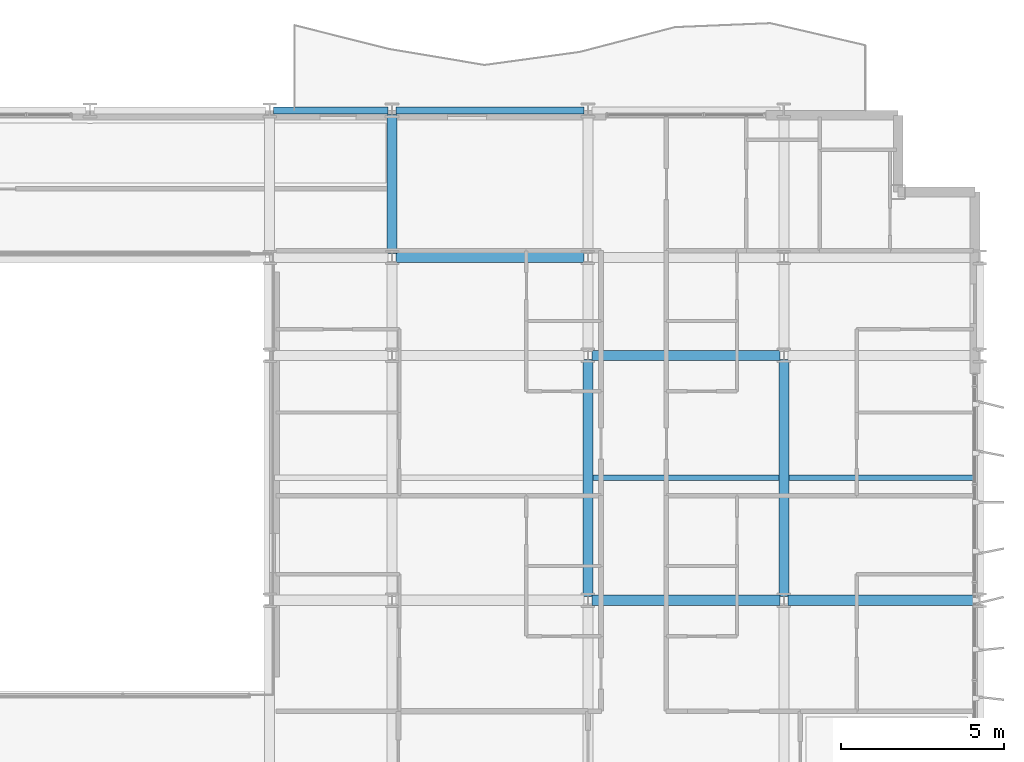
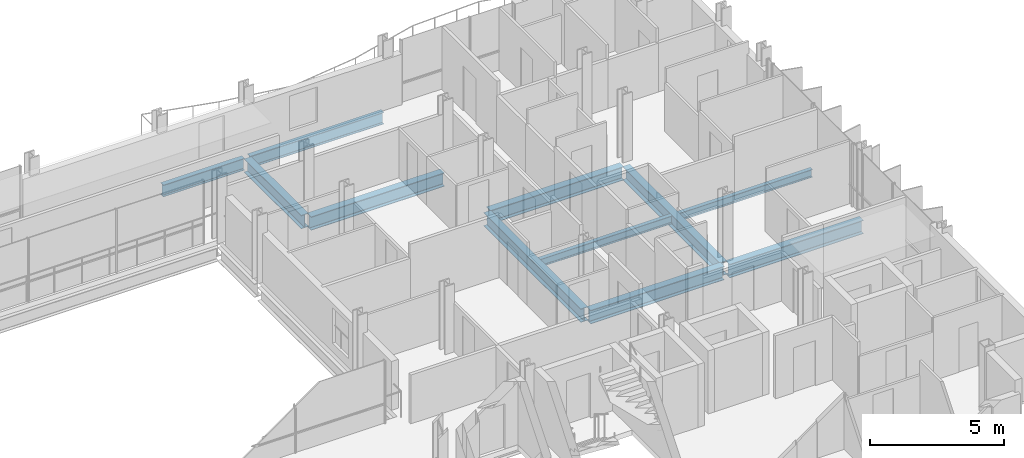
# One storey, part 18 of 39: 11 beams.
"""IFC4 building model written with IfcOpenShell, lengths in metres."""

from ifc_helpers import new_model, si_unit, direction, frame, origin, origin_2d, place, context, subcontext, project, spatial, i_section, extrude, material, material_profile, profile_set, type_object, element, save


model = new_model("IFC4")

# Units and contexts
model_context = context("Model", 3, precision=1e-05, world=origin(), true_north=direction((0.0, 1.0)))
body_context = subcontext(model_context, "Body", "Model", "MODEL_VIEW")
ifc_project = project(units=[si_unit("LENGTHUNIT", "METRE"), si_unit("AREAUNIT", "SQUARE_METRE"), si_unit("VOLUMEUNIT", "CUBIC_METRE"), si_unit("PLANEANGLEUNIT", "RADIAN"), si_unit("MASSUNIT", "GRAM", prefix="KILO")], contexts=[model_context])

# Site, building, storey
site_placement = place(None, origin())
site = spatial("IfcSite", under=ifc_project, at=site_placement, CompositionType="ELEMENT")
building_placement = place(site_placement, origin())
building = spatial("IfcBuilding", under=site, at=building_placement, Name="Brevholm Reach", CompositionType="ELEMENT")
storey_placement = place(building_placement, frame((0.0, 0.0, 77.60009765625)))
storey = spatial("IfcBuildingStorey", under=building, at=storey_placement, Name="L22", CompositionType="ELEMENT", Elevation=77.60009765625)

# Beams
ifc_material_1 = material(Name="Structural Steel S355J2", Category="steel")
ifc_material_profile_1 = material_profile(ifc_material_1, i_section(OverallWidth=0.17138671875, OverallDepth=0.35498046875, WebThickness=0.00732421875, FlangeThickness=0.011474609375, FilletRadius=0.01025390625, at=origin_2d()), Name="UKB 356x171x51")
ifc_profile_set_1 = profile_set([ifc_material_profile_1], Name="Structural Steel S355J2")
beam_type_1 = type_object("IfcBeamType", Name="BM-B356", PredefinedType="BEAM", material=ifc_profile_set_1)
beam_1_placement = place(storey_placement, frame((48.153564453125, 19.75, -0.40771484375), z_axis=(1.0, 0.0, 0.0), x_axis=(0.0, 1.0, 0.0)))
element("IfcBeam", 1, at=beam_1_placement, inside=storey, type_object=beam_type_1, Name="L22 Composite Secondary Floor Beam", PredefinedType="BEAM", context=body_context, shape_type="SweptSolid", body=[
    extrude(i_section(OverallWidth=0.17138671875, OverallDepth=0.35498046875, WebThickness=0.00732421875, FlangeThickness=0.011474609375, FilletRadius=0.01025390625, at=origin_2d()), origin(), (0.0, 0.0, 1.0), 5.69287109375),
])
beam_2_placement = place(storey_placement, frame((54.153564453125, 19.75, -0.40771484375), z_axis=(1.0, 0.0, 0.0), x_axis=(0.0, 1.0, 0.0)))
element("IfcBeam", 2, at=beam_2_placement, inside=storey, type_object=beam_type_1, Name="L22 Composite Secondary Floor Beam", PredefinedType="BEAM", context=body_context, shape_type="SweptSolid", body=[
    extrude(i_section(OverallWidth=0.17138671875, OverallDepth=0.35498046875, WebThickness=0.00732421875, FlangeThickness=0.011474609375, FilletRadius=0.01025390625, at=origin_2d()), origin(), (0.0, 0.0, 1.0), 5.740966796875),
])
ifc_material_2 = material(Name="Structural Steel S355J2", Category="steel")
ifc_material_profile_2 = material_profile(ifc_material_2, i_section(OverallWidth=0.210693359375, OverallDepth=0.53955078125, WebThickness=0.01171875, FlangeThickness=0.018798828125, FilletRadius=0.0126953125, at=origin_2d()), Name="UKB 533x210x109")
ifc_profile_set_2 = profile_set([ifc_material_profile_2], Name="Structural Steel S355J2")
beam_type_2 = type_object("IfcBeamType", Name="BM-SP539", PredefinedType="SPANDREL", material=ifc_profile_set_2)
beam_3_placement = place(storey_placement, frame((38.3701171875, 31.0, -0.499755859375), z_axis=(1.0, 0.0, 0.0), x_axis=(0.0, 1.0, 0.0)))
element("IfcBeam", 3, at=beam_3_placement, inside=storey, type_object=beam_type_2, Name="L22 SP-01B Framing Beam", PredefinedType="SPANDREL", context=body_context, shape_type="SweptSolid", body=[
    extrude(i_section(OverallWidth=0.210693359375, OverallDepth=0.53955078125, WebThickness=0.01171875, FlangeThickness=0.018798828125, FilletRadius=0.0126953125, at=origin_2d()), origin(), (0.0, 0.0, 1.0), 3.509765625),
])
beam_4_placement = place(storey_placement, frame((42.1201171875, 31.0, -0.499755859375), z_axis=(1.0, 0.0, 0.0), x_axis=(0.0, 1.0, 0.0)))
element("IfcBeam", 4, at=beam_4_placement, inside=storey, type_object=beam_type_2, Name="L22 SP-01B Framing Beam", PredefinedType="SPANDREL", context=body_context, shape_type="SweptSolid", body=[
    extrude(i_section(OverallWidth=0.210693359375, OverallDepth=0.53955078125, WebThickness=0.01171875, FlangeThickness=0.018798828125, FilletRadius=0.0126953125, at=origin_2d()), origin(), (0.0, 0.0, 1.0), 5.759765625),
])
ifc_material_3 = material(Name="Structural Steel S355J2", Category="steel")
ifc_material_profile_3 = material_profile(ifc_material_3, i_section(OverallWidth=0.30712890625, OverallDepth=0.6201171875, WebThickness=0.01416015625, FlangeThickness=0.023681640625, FilletRadius=0.0166015625, at=origin_2d()), Name="UKB 610x305x179")
ifc_profile_set_3 = profile_set([ifc_material_profile_3], Name="Structural Steel S355J2")
beam_type_3 = type_object("IfcBeamType", Name="BM-UKB610H", PredefinedType="USERDEFINED", material=ifc_profile_set_3)
for number, where, z_axis, x_axis, name in (
    (5, (48.1201171875, 16.0, -0.540283203125), (1.0, 0.0, 0.0), (0.0, 1.0, 0.0), "L22 G-06 Framing Beam"),
    (6, (54.1201171875, 16.0, -0.540283203125), (1.0, 0.0, 0.0), (0.0, 1.0, 0.0), "L22 G-06 Framing Beam"),
    (7, (48.1201171875, 23.5, -0.540283203125), (1.0, 0.0, 0.0), (0.0, 1.0, 0.0), "L22 G-06 Framing Beam"),
    (8, (42.1201171875, 26.5, -0.540283203125), (1.0, 0.0, 0.0), (0.0, 1.0, 0.0), "L22 G-06 Framing Beam"),
):
    element("IfcBeam", number, at=place(storey_placement, frame(where, z_axis=z_axis, x_axis=x_axis)), inside=storey, type_object=beam_type_3, Name=name, ObjectType="GIRDER", PredefinedType="USERDEFINED", context=body_context, shape_type="SweptSolid", body=[
        extrude(i_section(OverallWidth=0.30712890625, OverallDepth=0.6201171875, WebThickness=0.01416015625, FlangeThickness=0.023681640625, FilletRadius=0.0166015625, at=origin_2d()), origin(), (0.0, 0.0, 1.0), 5.759765625),
    ])
beam_5_placement = place(storey_placement, frame((42.0, 26.6201171875, -0.540283203125), z_axis=(0.0, 1.0, 0.0), x_axis=(-1.0, 0.0, 0.0)))
element("IfcBeam", 9, at=beam_5_placement, inside=storey, type_object=beam_type_3, Name="L22 G-06 Framing Beam", ObjectType="GIRDER", PredefinedType="USERDEFINED", context=body_context, shape_type="SweptSolid", body=[
    extrude(i_section(OverallWidth=0.30712890625, OverallDepth=0.6201171875, WebThickness=0.01416015625, FlangeThickness=0.023681640625, FilletRadius=0.0166015625, at=origin_2d()), origin(), (0.0, 0.0, 1.0), 4.259765625),
])
for number, where, z_axis, x_axis, name in (
    (10, (48.0, 16.1201171875, -0.540283203125), (0.0, 1.0, 0.0), (-1.0, 0.0, 0.0), "L22 G-06 Framing Beam"),
    (11, (54.0, 16.1201171875, -0.540283203125), (0.0, 1.0, 0.0), (-1.0, 0.0, 0.0), "L22 G-06 Framing Beam"),
):
    element("IfcBeam", number, at=place(storey_placement, frame(where, z_axis=z_axis, x_axis=x_axis)), inside=storey, type_object=beam_type_3, Name=name, ObjectType="GIRDER", PredefinedType="USERDEFINED", context=body_context, shape_type="SweptSolid", body=[
        extrude(i_section(OverallWidth=0.30712890625, OverallDepth=0.6201171875, WebThickness=0.01416015625, FlangeThickness=0.023681640625, FilletRadius=0.0166015625, at=origin_2d()), origin(), (0.0, 0.0, 1.0), 7.259765625),
    ])

save(model, "model.ifc")
